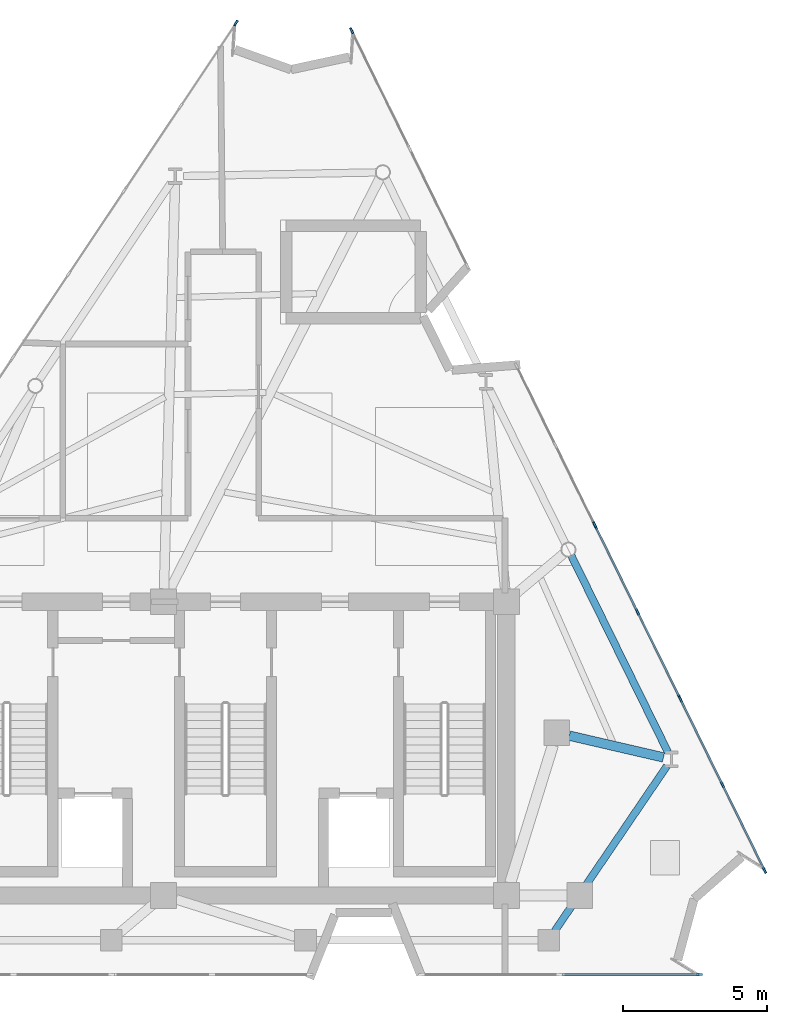
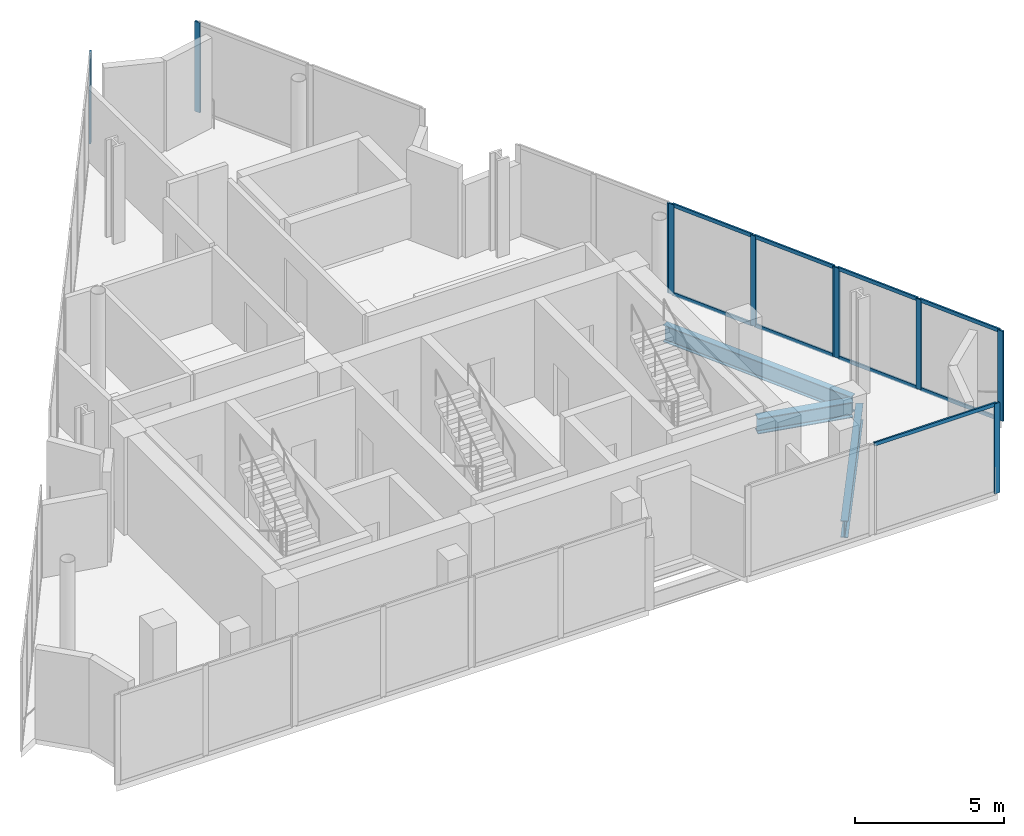
# One storey, part 4 of 9: 19 members, 3 beams, 6 elements without a shape of their own.
"""IFC4 building model written with IfcOpenShell, lengths in metres."""

from ifc_helpers import new_model, si_unit, direction, frame, origin, origin_2d, place, context, subcontext, project, spatial, rectangle, i_section, extrude, material, layer, layer_set, material_profile, profile_set, type_object, element, aggregate, save


model = new_model("IFC4")

# Units and contexts
model_context = context("Model", 3, precision=1e-05, world=origin(), true_north=direction((0.0, 1.0)))
body_context = subcontext(model_context, "Body", "Model", "MODEL_VIEW")
ifc_project = project(units=[si_unit("LENGTHUNIT", "METRE"), si_unit("AREAUNIT", "SQUARE_METRE"), si_unit("VOLUMEUNIT", "CUBIC_METRE"), si_unit("PLANEANGLEUNIT", "RADIAN"), si_unit("MASSUNIT", "GRAM", prefix="KILO")], contexts=[model_context])

# Site, building, storey
site_placement = place(None, origin())
site = spatial("IfcSite", under=ifc_project, at=site_placement, CompositionType="ELEMENT")
building_placement = place(site_placement, origin())
building = spatial("IfcBuilding", under=site, at=building_placement, Name="Almagre Mirador Tower", CompositionType="ELEMENT")
storey_placement = place(building_placement, frame((0.0, 0.0, 306.5)))
storey = spatial("IfcBuildingStorey", under=building, at=storey_placement, Name="L79", CompositionType="ELEMENT", Elevation=306.5)

# Beams
ifc_material_1 = material(Name="Steel ASTM A992 Grade 50", Category="steel")
ifc_material_profile_1 = material_profile(ifc_material_1, i_section(OverallWidth=0.256103515625, OverallDepth=0.693115234375, WebThickness=0.014404296875, FlangeThickness=0.023681640625, FilletRadius=0.02197265625, at=origin_2d()), Name="W27X114")
ifc_profile_set_1 = profile_set([ifc_material_profile_1], Name="Steel ASTM A992 Grade 50")
beam_type_1 = type_object("IfcBeamType", Name="BM-SPN-W27X114", PredefinedType="SPANDREL", material=ifc_profile_set_1)
beam_1_placement = place(storey_placement, frame((48.726806640625, 3.31005859375, -0.646484375), z_axis=(0.562316764755, 0.826921916553, 0.0), x_axis=(-0.826921916553, 0.562316764755, 0.0)))
element("IfcBeam", 1, at=beam_1_placement, inside=storey, type_object=beam_type_1, Name="L79 perimeter spandrel beam PC04-PC05", PredefinedType="SPANDREL", context=body_context, shape_type="SweptSolid", body=[
    extrude(i_section(OverallWidth=0.256103515625, OverallDepth=0.693115234375, WebThickness=0.014404296875, FlangeThickness=0.023681640625, FilletRadius=0.02197265625, at=origin_2d()), origin(), (0.0, 0.0, 1.0), 6.931884765625),
])
beam_2_placement = place(storey_placement, frame((52.6591796875, 9.53369140625, -0.646484375), z_axis=(-0.441286188915, 0.897366424306, 0.0), x_axis=(-0.897366424306, -0.441286188915, 0.0)))
element("IfcBeam", 2, at=beam_2_placement, inside=storey, type_object=beam_type_1, Name="L79 perimeter spandrel beam PC05-PC06", PredefinedType="SPANDREL", context=body_context, shape_type="SweptSolid", body=[
    extrude(i_section(OverallWidth=0.256103515625, OverallDepth=0.693115234375, WebThickness=0.014404296875, FlangeThickness=0.023681640625, FilletRadius=0.02197265625, at=origin_2d()), origin(), (0.0, 0.0, 1.0), 7.607666015625),
])
ifc_material_2 = material(Name="Steel ASTM A992 Grade 50", Category="steel")
ifc_material_profile_2 = material_profile(ifc_material_2, i_section(OverallWidth=0.330078125, OverallDepth=0.635009765625, WebThickness=0.017822265625, FlangeThickness=0.031005859375, FilletRadius=0.02001953125, at=origin_2d()), Name="W24X162")
ifc_profile_set_2 = profile_set([ifc_material_profile_2], Name="Steel ASTM A992 Grade 50")
beam_type_2 = type_object("IfcBeamType", Name="BM-STL-W24X162", PredefinedType="BEAM", material=ifc_profile_set_2)
beam_3_placement = place(storey_placement, frame((52.50732421875, 9.34228515625, -0.617431640625), z_axis=(-0.974263503656, 0.225412123549, 0.0), x_axis=(-0.225412123549, -0.974263503656, 0.0)))
element("IfcBeam", 3, at=beam_3_placement, inside=storey, type_object=beam_type_2, Name="L79 radial floor girder PC05-MC3", PredefinedType="BEAM", context=body_context, shape_type="SweptSolid", body=[
    extrude(i_section(OverallWidth=0.330078125, OverallDepth=0.635009765625, WebThickness=0.017822265625, FlangeThickness=0.031005859375, FilletRadius=0.02001953125, at=origin_2d()), origin(), (0.0, 0.0, 1.0), 3.35546875),
])

# Curtain wall, member
ifc_material_3 = material(Name="Black anodized aluminium", Category="aluminium")
ifc_layer = layer(ifc_material_3, 0.2099609375)
ifc_layer_set = layer_set([ifc_layer], Name="Black anodized aluminium")
curtain_wall_type = type_object("IfcCurtainWallType", Name="CW-CRN-SYS", PredefinedType="NOTDEFINED", material=ifc_layer_set)
curtain_wall_1_placement = place(storey_placement, origin())
curtain_wall_1 = element("IfcCurtainWall", 4, at=curtain_wall_1_placement, inside=storey, type_object=curtain_wall_type, Name="L79 curtain wall run 05", PredefinedType="NOTDEFINED")
ifc_material_4 = material(Name="Black anodized aluminium", Category="aluminium")
ifc_material_profile_3 = material_profile(ifc_material_4, rectangle(XDim=0.070068359375, YDim=0.2099609375, at=origin_2d()), Name="CWM70X210")
ifc_profile_set_3 = profile_set([ifc_material_profile_3], Name="Black anodized aluminium")
member_type_1 = type_object("IfcMemberType", Name="MBR-CWM70X210", PredefinedType="MULLION", material=ifc_profile_set_3)
member_1_placement = place(storey_placement, frame((37.659423828125, 34.84375, 0.0), z_axis=(0.0, 0.0, 1.0), x_axis=(-0.831705218561, 0.555217461378, 0.0)))
member_1 = element("IfcMember", 5, at=member_1_placement, type_object=member_type_1, Name="CW-6 mullion 3", PredefinedType="MULLION", context=body_context, shape_type="SweptSolid", body=[
    extrude(rectangle(XDim=0.070068359375, YDim=0.2099609375, at=origin_2d()), origin(), (0.0, 0.0, 1.0), 3.699951171875),
])
aggregate(curtain_wall_1, [member_1])

curtain_wall_2_placement = place(storey_placement, origin())
curtain_wall_2 = element("IfcCurtainWall", 6, at=curtain_wall_2_placement, inside=storey, type_object=curtain_wall_type, Name="L79 curtain wall run 06", PredefinedType="NOTDEFINED")
member_2_placement = place(storey_placement, frame((41.6806640625, 34.579345703125, 0.0), z_axis=(0.0, 0.0, 1.0), x_axis=(0.897394697223, 0.441228690585, 0.0)))
member_2 = element("IfcMember", 7, at=member_2_placement, type_object=member_type_1, Name="CW-6 mullion 1", PredefinedType="MULLION", context=body_context, shape_type="SweptSolid", body=[
    extrude(rectangle(XDim=0.070068359375, YDim=0.2099609375, at=origin_2d()), origin(), (0.0, 0.0, 1.0), 3.699951171875),
])
aggregate(curtain_wall_2, [member_2])

curtain_wall_3_placement = place(storey_placement, origin())
curtain_wall_3 = element("IfcCurtainWall", 8, at=curtain_wall_3_placement, inside=storey, type_object=curtain_wall_type, Name="L79 curtain wall run 08", PredefinedType="NOTDEFINED")
member_3_placement = place(storey_placement, frame((50.11279296875, 17.431396484375, 0.0), z_axis=(0.0, 0.0, 1.0), x_axis=(0.897359274897, 0.44130072712, 0.0)))
member_3 = element("IfcMember", 9, at=member_3_placement, type_object=member_type_1, Name="CW-6 mullion 3", PredefinedType="MULLION", context=body_context, shape_type="SweptSolid", body=[
    extrude(rectangle(XDim=0.070068359375, YDim=0.2099609375, at=origin_2d()), origin(), (0.0, 0.0, 1.0), 3.699951171875),
])
aggregate(curtain_wall_3, [member_3])

# Curtain wall, members
curtain_wall_4_placement = place(storey_placement, origin())
curtain_wall_4 = element("IfcCurtainWall", 10, at=curtain_wall_4_placement, inside=storey, type_object=curtain_wall_type, Name="L79 curtain wall run 09", PredefinedType="NOTDEFINED")
member_4_placement = place(storey_placement, frame((50.1435546875, 17.36865234375, 0.0), z_axis=(0.0, 0.0, 1.0), x_axis=(0.897354428441, 0.441310581967, 0.0)))
member_4 = element("IfcMember", 11, at=member_4_placement, type_object=member_type_1, Name="CW-6 mullion 1", PredefinedType="MULLION", context=body_context, shape_type="SweptSolid", body=[
    extrude(rectangle(XDim=0.070068359375, YDim=0.2099609375, at=origin_2d()), origin(), (0.0, 0.0, 1.0), 3.699951171875),
])
member_5_placement = place(storey_placement, frame((51.60498046875, 14.397216796875, 0.0), z_axis=(0.0, 0.0, 1.0), x_axis=(0.897354428441, 0.441310581967, 0.0)))
member_5 = element("IfcMember", 12, at=member_5_placement, type_object=member_type_1, Name="CW-6 mullion 2", PredefinedType="MULLION", context=body_context, shape_type="SweptSolid", body=[
    extrude(rectangle(XDim=0.070068359375, YDim=0.2099609375, at=origin_2d()), origin(), (0.0, 0.0, 1.0), 3.699951171875),
])
member_6_placement = place(storey_placement, frame((53.066162109375, 11.426025390625, 0.0), z_axis=(0.0, 0.0, 1.0), x_axis=(0.897354428441, 0.441310581967, 0.0)))
member_6 = element("IfcMember", 13, at=member_6_placement, type_object=member_type_1, Name="CW-6 mullion 3", PredefinedType="MULLION", context=body_context, shape_type="SweptSolid", body=[
    extrude(rectangle(XDim=0.070068359375, YDim=0.2099609375, at=origin_2d()), origin(), (0.0, 0.0, 1.0), 3.699951171875),
])

curtain_wall_5_placement = place(storey_placement, origin())
curtain_wall_5 = element("IfcCurtainWall", 14, at=curtain_wall_5_placement, inside=storey, type_object=curtain_wall_type, Name="L79 curtain wall run 10", PredefinedType="NOTDEFINED")
member_7_placement = place(storey_placement, frame((53.096923828125, 11.36328125, 0.0), z_axis=(0.0, 0.0, 1.0), x_axis=(0.897360345793, 0.441298549508, 0.0)))
member_7 = element("IfcMember", 15, at=member_7_placement, type_object=member_type_1, Name="CW-6 mullion 1", PredefinedType="MULLION", context=body_context, shape_type="SweptSolid", body=[
    extrude(rectangle(XDim=0.070068359375, YDim=0.2099609375, at=origin_2d()), origin(), (0.0, 0.0, 1.0), 3.699951171875),
])
member_8_placement = place(storey_placement, frame((54.558349609375, 8.391845703125, 0.0), z_axis=(0.0, 0.0, 1.0), x_axis=(0.897360345793, 0.441298549508, 0.0)))
member_8 = element("IfcMember", 16, at=member_8_placement, type_object=member_type_1, Name="CW-6 mullion 2", PredefinedType="MULLION", context=body_context, shape_type="SweptSolid", body=[
    extrude(rectangle(XDim=0.070068359375, YDim=0.2099609375, at=origin_2d()), origin(), (0.0, 0.0, 1.0), 3.699951171875),
])
member_9_placement = place(storey_placement, frame((56.01953125, 5.420654296875, 0.0), z_axis=(0.0, 0.0, 1.0), x_axis=(0.897360345793, 0.441298549508, 0.0)))
member_9 = element("IfcMember", 17, at=member_9_placement, type_object=member_type_1, Name="CW-6 mullion 3", PredefinedType="MULLION", context=body_context, shape_type="SweptSolid", body=[
    extrude(rectangle(XDim=0.070068359375, YDim=0.2099609375, at=origin_2d()), origin(), (0.0, 0.0, 1.0), 3.699951171875),
])

# Curtain wall, member
curtain_wall_6_placement = place(storey_placement, origin())
curtain_wall_6 = element("IfcCurtainWall", 18, at=curtain_wall_6_placement, inside=storey, type_object=curtain_wall_type, Name="L79 curtain wall run 11", PredefinedType="NOTDEFINED")
member_10_placement = place(storey_placement, frame((53.764892578125, 1.800048828125, 0.0), z_axis=(0.0, 0.0, 1.0), x_axis=(0.0, -1.0, 0.0)))
member_10 = element("IfcMember", 19, at=member_10_placement, type_object=member_type_1, Name="CW-6 mullion 1", PredefinedType="MULLION", context=body_context, shape_type="SweptSolid", body=[
    extrude(rectangle(XDim=0.070068359375, YDim=0.2099609375, at=origin_2d()), origin(), (0.0, 0.0, 1.0), 3.699951171875),
])

# Member
ifc_material_5 = material(Name="Black anodized aluminium", Category="aluminium")
ifc_material_profile_4 = material_profile(ifc_material_5, rectangle(XDim=0.06494140625, YDim=0.14990234375, at=origin_2d()), Name="CWT65X150")
ifc_profile_set_4 = profile_set([ifc_material_profile_4], Name="Black anodized aluminium")
member_type_2 = type_object("IfcMemberType", Name="MBR-CWT65X150", PredefinedType="USERDEFINED", material=ifc_profile_set_4)
member_11_placement = place(storey_placement, frame((50.1591796875, 17.337158203125, 0.032470703125), z_axis=(0.441267947631, -0.897375394355, 0.0), x_axis=(0.897375394355, 0.441267947631, 0.0)))
member_11 = element("IfcMember", 20, at=member_11_placement, type_object=member_type_2, Name="CW-6 transom 1.1", ObjectType="TRANSOM", PredefinedType="USERDEFINED", context=body_context, shape_type="SweptSolid", body=[
    extrude(rectangle(XDim=0.06494140625, YDim=0.14990234375, at=origin_2d()), origin(), (0.0, 0.0, 1.0), 3.240966796875),
])

member_12_placement = place(storey_placement, frame((50.1591796875, 17.337158203125, 3.66748046875), z_axis=(0.441267947631, -0.897375394355, 0.0), x_axis=(0.897375394355, 0.441267947631, 0.0)))
member_12 = element("IfcMember", 21, at=member_12_placement, type_object=member_type_2, Name="CW-6 transom 1.2", ObjectType="TRANSOM", PredefinedType="USERDEFINED", context=body_context, shape_type="SweptSolid", body=[
    extrude(rectangle(XDim=0.06494140625, YDim=0.14990234375, at=origin_2d()), origin(), (0.0, 0.0, 1.0), 3.240966796875),
])

member_13_placement = place(storey_placement, frame((51.620361328125, 14.365966796875, 0.032470703125), z_axis=(0.441328604456, -0.897345564924, 0.0), x_axis=(0.897345564924, 0.441328604456, 0.0)))
member_13 = element("IfcMember", 22, at=member_13_placement, type_object=member_type_2, Name="CW-6 transom 2.1", ObjectType="TRANSOM", PredefinedType="USERDEFINED", context=body_context, shape_type="SweptSolid", body=[
    extrude(rectangle(XDim=0.06494140625, YDim=0.14990234375, at=origin_2d()), origin(), (0.0, 0.0, 1.0), 3.2412109375),
])

member_14_placement = place(storey_placement, frame((51.620361328125, 14.365966796875, 3.66748046875), z_axis=(0.441328604456, -0.897345564924, 0.0), x_axis=(0.897345564924, 0.441328604456, 0.0)))
member_14 = element("IfcMember", 23, at=member_14_placement, type_object=member_type_2, Name="CW-6 transom 2.2", ObjectType="TRANSOM", PredefinedType="USERDEFINED", context=body_context, shape_type="SweptSolid", body=[
    extrude(rectangle(XDim=0.06494140625, YDim=0.14990234375, at=origin_2d()), origin(), (0.0, 0.0, 1.0), 3.2412109375),
])

aggregate(curtain_wall_4, [member_4, member_5, member_6, member_11, member_12, member_13, member_14])

member_15_placement = place(storey_placement, frame((53.112548828125, 11.331787109375, 0.032470703125), z_axis=(0.441267947631, -0.897375394355, 0.0), x_axis=(0.897375394355, 0.441267947631, 0.0)))
member_15 = element("IfcMember", 24, at=member_15_placement, type_object=member_type_2, Name="CW-6 transom 1.1", ObjectType="TRANSOM", PredefinedType="USERDEFINED", context=body_context, shape_type="SweptSolid", body=[
    extrude(rectangle(XDim=0.06494140625, YDim=0.14990234375, at=origin_2d()), origin(), (0.0, 0.0, 1.0), 3.240966796875),
])

member_16_placement = place(storey_placement, frame((53.112548828125, 11.331787109375, 3.66748046875), z_axis=(0.441267947631, -0.897375394355, 0.0), x_axis=(0.897375394355, 0.441267947631, 0.0)))
member_16 = element("IfcMember", 25, at=member_16_placement, type_object=member_type_2, Name="CW-6 transom 1.2", ObjectType="TRANSOM", PredefinedType="USERDEFINED", context=body_context, shape_type="SweptSolid", body=[
    extrude(rectangle(XDim=0.06494140625, YDim=0.14990234375, at=origin_2d()), origin(), (0.0, 0.0, 1.0), 3.240966796875),
])

member_17_placement = place(storey_placement, frame((54.57373046875, 8.360595703125, 0.032470703125), z_axis=(0.441238121031, -0.897390060425, 0.0), x_axis=(0.897390060425, 0.441238121031, 0.0)))
member_17 = element("IfcMember", 26, at=member_17_placement, type_object=member_type_2, Name="CW-6 transom 2.1", ObjectType="TRANSOM", PredefinedType="USERDEFINED", context=body_context, shape_type="SweptSolid", body=[
    extrude(rectangle(XDim=0.06494140625, YDim=0.14990234375, at=origin_2d()), origin(), (0.0, 0.0, 1.0), 3.2412109375),
])

member_18_placement = place(storey_placement, frame((54.57373046875, 8.360595703125, 3.66748046875), z_axis=(0.441238121031, -0.897390060425, 0.0), x_axis=(0.897390060425, 0.441238121031, 0.0)))
member_18 = element("IfcMember", 27, at=member_18_placement, type_object=member_type_2, Name="CW-6 transom 2.2", ObjectType="TRANSOM", PredefinedType="USERDEFINED", context=body_context, shape_type="SweptSolid", body=[
    extrude(rectangle(XDim=0.06494140625, YDim=0.14990234375, at=origin_2d()), origin(), (0.0, 0.0, 1.0), 3.2412109375),
])

aggregate(curtain_wall_5, [member_7, member_8, member_9, member_15, member_16, member_17, member_18])

member_19_placement = place(storey_placement, frame((53.729736328125, 1.800048828125, 3.66748046875), z_axis=(-1.0, 0.0, 0.0), x_axis=(0.0, -1.0, 0.0)))
member_19 = element("IfcMember", 28, at=member_19_placement, type_object=member_type_2, Name="CW-6 transom 1.2", ObjectType="TRANSOM", PredefinedType="USERDEFINED", context=body_context, shape_type="SweptSolid", body=[
    extrude(rectangle(XDim=0.06494140625, YDim=0.14990234375, at=origin_2d()), origin(), (0.0, 0.0, 1.0), 4.7236328125),
])

aggregate(curtain_wall_6, [member_10, member_19])

save(model, "model.ifc")
